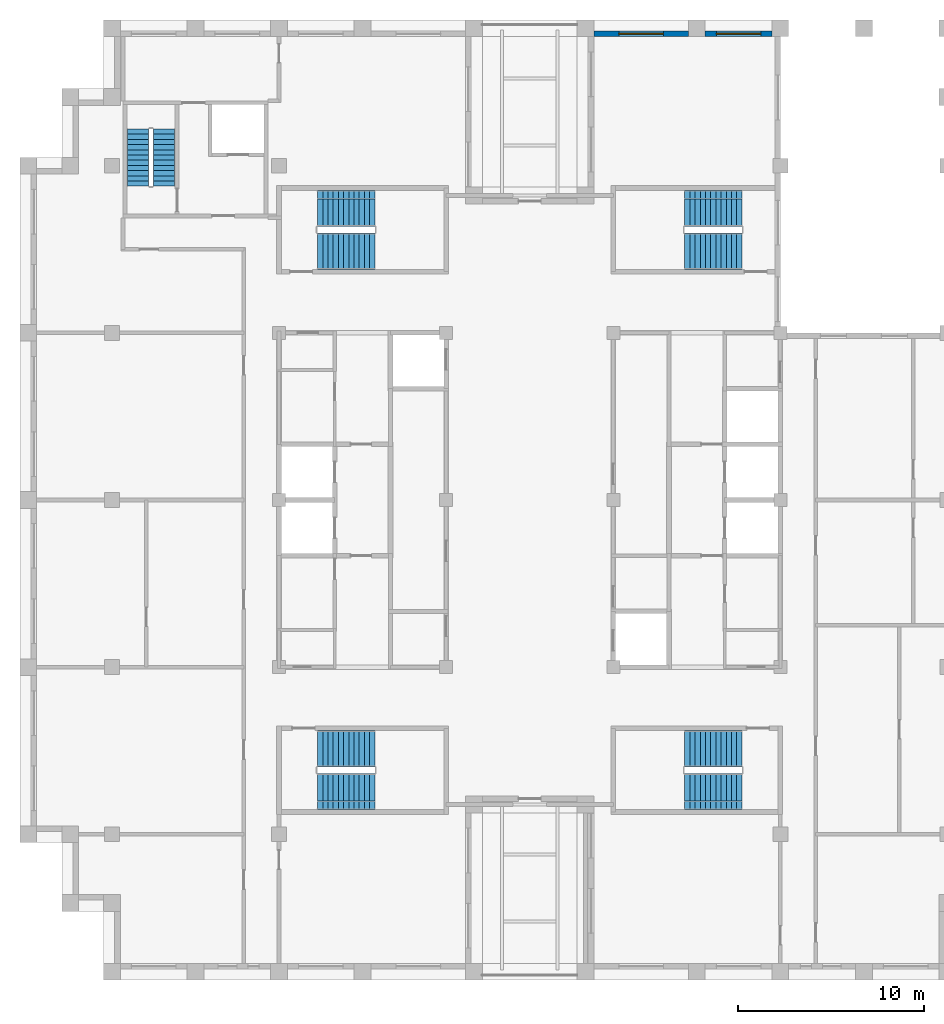
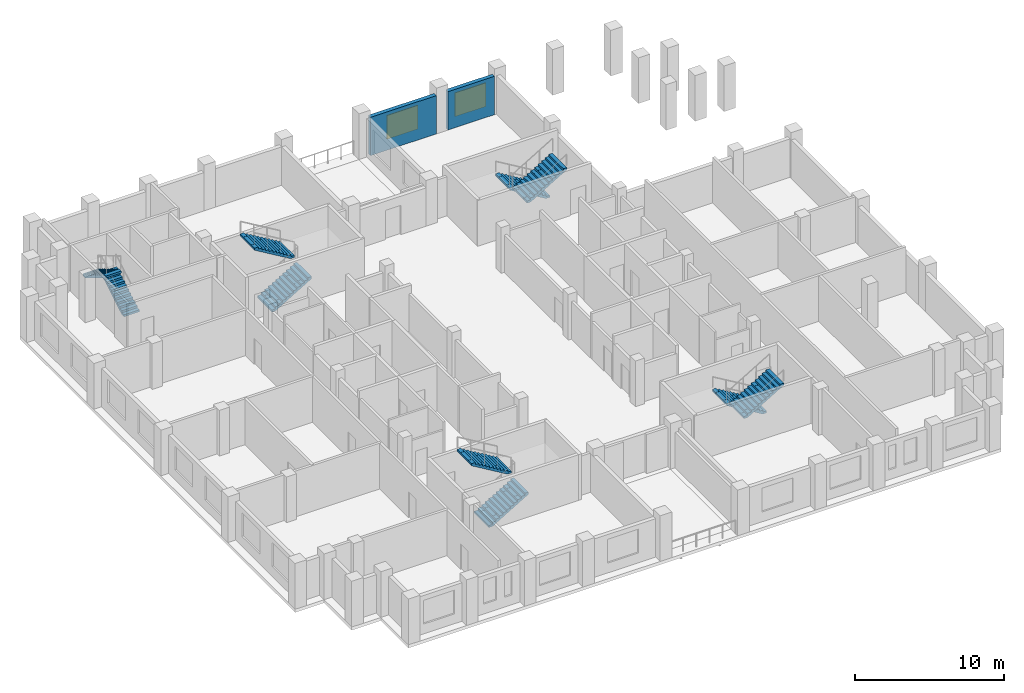
# One storey, part 7 of 8: 10 stair flights, 2 walls, 2 windows, 2 openings, 5 elements without a shape of their own.
"""IFC4 building model written with IfcOpenShell, lengths in metres."""

from ifc_helpers import new_model, si_unit, direction, frame, frame_2d, origin, place, context, subcontext, project, spatial, polyline, rectangle, outline, extrude, material, layer, layer_set, type_object, element, fill, aggregate, save


model = new_model("IFC4")

# Units and contexts
model_context = context("Model", 3, precision=1e-05, world=origin(), true_north=direction((0.0, 1.0)))
body_context = subcontext(model_context, "Body", "Model", "MODEL_VIEW")
ifc_project = project(units=[si_unit("LENGTHUNIT", "METRE"), si_unit("AREAUNIT", "SQUARE_METRE"), si_unit("VOLUMEUNIT", "CUBIC_METRE"), si_unit("PLANEANGLEUNIT", "RADIAN"), si_unit("MASSUNIT", "GRAM", prefix="KILO")], contexts=[model_context])

# Site, building, storey
site_placement = place(None, origin())
site = spatial("IfcSite", under=ifc_project, at=site_placement, CompositionType="ELEMENT")
building_placement = place(site_placement, origin())
building = spatial("IfcBuilding", under=site, at=building_placement, Name="Corbelhall Arena Tower", CompositionType="ELEMENT")
storey_placement = place(building_placement, frame((0.0, 0.0, 326.0)))
storey = spatial("IfcBuildingStorey", under=building, at=storey_placement, Name="L71", CompositionType="ELEMENT", Elevation=326.0)

# Wall, opening, window
ifc_material_1 = material(Name="Precast concrete C40/50 with granite facing", Category="masonry")
ifc_layer = layer(ifc_material_1, 0.300048828125)
ifc_layer_set = layer_set([ifc_layer], Name="EV-IW1 Infill panel 300")
wall_type = type_object("IfcWallType", Name="EV-IW1 Infill panel 300", PredefinedType="SOLIDWALL", material=ifc_layer_set)
wall_1_placement = place(storey_placement, frame((13.050048828125, 25.10009765625, 0.0), z_axis=(0.0, 0.0, 1.0), x_axis=(-1.0, 0.0, 0.0)))
wall_1 = element("IfcWall", 1, at=wall_1_placement, inside=storey, type_object=wall_type, Name="Infill panel IW1", PredefinedType="SOLIDWALL", context=body_context, shape_type="SweptSolid", body=[
    extrude(rectangle(XDim=3.60009765625, YDim=0.300048828125, at=frame_2d((1.800048828125, 0.0))), origin(), (0.0, 0.0, 1.0), 3.139892578125),
])
opening_1_placement = place(wall_1_placement, frame((0.60009765625, 0.0, 0.800048828125)))
opening_1 = element("IfcOpeningElement", 2, at=opening_1_placement, cuts=wall_1, Name="Opening WN1", PredefinedType="OPENING", context=body_context, shape_type="SweptSolid", body=[
    extrude(rectangle(XDim=2.39990234375, YDim=1.949951171875, at=frame_2d((1.199951171875, 0.97509765625))), frame((0.0, 0.14990234375, 0.0), z_axis=(0.0, -1.0, 0.0), x_axis=(1.0, 0.0, 0.0)), (0.0, 0.0, 1.0), 0.300048828125),
])
ifc_material_2 = material(Name="Aluminium black anodised", Category="aluminium")
window_type = type_object("IfcWindowType", Name="EV-WN1 Office window", PartitioningType="SINGLE_PANEL", PredefinedType="WINDOW", material=ifc_material_2)
window_1_placement = place(opening_1_placement, origin())
window_1 = element("IfcWindow", 3, at=window_1_placement, inside=storey, type_object=window_type, Name="Window WN1", OverallHeight=1.949951171875, OverallWidth=2.39990234375, PartitioningType="SINGLE_PANEL", PredefinedType="WINDOW", context=body_context, shape_type="SweptSolid", body=[
    extrude(rectangle(XDim=2.39990234375, YDim=1.949951171875, at=frame_2d((1.199951171875, 0.97509765625))), frame((0.0, 0.030029296875, 0.0), z_axis=(0.0, -1.0, 0.0), x_axis=(1.0, 0.0, 0.0)), (0.0, 0.0, 1.0), 0.06005859375),
])
fill(opening_1, window_1)

wall_2_placement = place(storey_placement, frame((8.550048828125, 25.10009765625, 0.0), z_axis=(0.0, 0.0, 1.0), x_axis=(-1.0, 0.0, 0.0)))
wall_2 = element("IfcWall", 4, at=wall_2_placement, inside=storey, type_object=wall_type, Name="Infill panel IW1", PredefinedType="SOLIDWALL", context=body_context, shape_type="SweptSolid", body=[
    extrude(rectangle(XDim=5.10009765625, YDim=0.300048828125, at=frame_2d((2.550048828125, 0.0))), origin(), (0.0, 0.0, 1.0), 3.139892578125),
])
opening_2_placement = place(wall_2_placement, frame((1.35009765625, 0.0, 0.800048828125)))
opening_2 = element("IfcOpeningElement", 5, at=opening_2_placement, cuts=wall_2, Name="Opening WN1", PredefinedType="OPENING", context=body_context, shape_type="SweptSolid", body=[
    extrude(rectangle(XDim=2.39990234375, YDim=1.949951171875, at=frame_2d((1.199951171875, 0.97509765625))), frame((0.0, 0.14990234375, 0.0), z_axis=(0.0, -1.0, 0.0), x_axis=(1.0, 0.0, 0.0)), (0.0, 0.0, 1.0), 0.300048828125),
])
window_2_placement = place(opening_2_placement, origin())
window_2 = element("IfcWindow", 6, at=window_2_placement, inside=storey, type_object=window_type, Name="Window WN1", OverallHeight=1.949951171875, OverallWidth=2.39990234375, PartitioningType="SINGLE_PANEL", PredefinedType="WINDOW", context=body_context, shape_type="SweptSolid", body=[
    extrude(rectangle(XDim=2.39990234375, YDim=1.949951171875, at=frame_2d((1.199951171875, 0.97509765625))), frame((0.0, 0.030029296875, 0.0), z_axis=(0.0, -1.0, 0.0), x_axis=(1.0, 0.0, 0.0)), (0.0, 0.0, 1.0), 0.06005859375),
])
fill(opening_2, window_2)

# Stair, stair flights
ifc_material_3 = material(Name="Concrete C40/50", Category="concrete")
stair_type = type_object("IfcStairType", Name="IN-ST-TOWER", PredefinedType="HALF_TURN_STAIR", material=ifc_material_3)
stair_1_placement = place(storey_placement, origin())
stair_1 = element("IfcStair", 7, at=stair_1_placement, inside=storey, type_object=stair_type, Name="L71 Exit stair ST1", PredefinedType="HALF_TURN_STAIR")
stair_flight_type = type_object("IfcStairFlightType", Name="IN-SFL-RC", PredefinedType="STRAIGHT", material=ifc_material_3)
stair_flight_1_placement = place(storey_placement, frame((-11.425048828125, 13.39990234375, 0.0), z_axis=(0.0, 0.0, 1.0), x_axis=(1.0, 0.0, 0.0)))
stair_flight_1 = element("IfcStairFlight", 8, at=stair_flight_1_placement, type_object=stair_flight_type, Name="ST1 flight 1", NumberOfRisers=12, NumberOfTreads=11, PredefinedType="STRAIGHT", RiserHeight=0.166666667, TreadLength=0.28, context=body_context, shape_type="SweptSolid", body=[
    extrude(outline(polyline([(0.0, 0.0), (0.0, 0.166748046875), (0.280029296875, 0.166748046875), (0.280029296875, 0.333251953125), (0.56005859375, 0.333251953125), (0.56005859375, 0.5), (0.840087890625, 0.5), (0.840087890625, 0.666748046875), (1.1201171875, 0.666748046875), (1.1201171875, 0.833251953125), (1.39990234375, 0.833251953125), (1.39990234375, 1.0), (1.679931640625, 1.0), (1.679931640625, 1.166748046875), (1.9599609375, 1.166748046875), (1.9599609375, 1.333251953125), (2.239990234375, 1.333251953125), (2.239990234375, 1.5), (2.52001953125, 1.5), (2.52001953125, 1.666748046875), (2.800048828125, 1.666748046875), (2.800048828125, 1.833251953125), (3.080078125, 1.833251953125), (3.080078125, 2.0), (3.080078125, 1.658935546875), (0.29296875, 0.0), (0.0, 0.0)])), frame((0.0, 0.97509765625, 0.0), z_axis=(0.0, -1.0, 0.0), x_axis=(1.0, 0.0, 0.0)), (0.0, 0.0, 1.0), 0.449951171875),
    extrude(outline(polyline([(0.0, 0.0), (0.0, 0.166748046875), (0.280029296875, 0.166748046875), (0.280029296875, 0.333251953125), (0.56005859375, 0.333251953125), (0.56005859375, 0.5), (0.840087890625, 0.5), (0.840087890625, 0.666748046875), (1.1201171875, 0.666748046875), (1.1201171875, 0.833251953125), (1.39990234375, 0.833251953125), (1.39990234375, 1.0), (1.679931640625, 1.0), (1.679931640625, 1.166748046875), (1.9599609375, 1.166748046875), (1.9599609375, 1.333251953125), (2.239990234375, 1.333251953125), (2.239990234375, 1.5), (2.52001953125, 1.5), (2.52001953125, 1.666748046875), (2.800048828125, 1.666748046875), (2.800048828125, 1.833251953125), (3.080078125, 1.833251953125), (3.080078125, 2.0), (3.080078125, 1.658935546875), (0.29296875, 0.0), (0.0, 0.0)])), frame((0.0, 0.52099609375, 0.0), z_axis=(0.0, -1.0, 0.0), x_axis=(1.0, 0.0, 0.0)), (0.0, 0.0, 1.0), 1.0419921875),
    extrude(outline(polyline([(0.0, 0.0), (0.0, 0.166748046875), (0.280029296875, 0.166748046875), (0.280029296875, 0.333251953125), (0.56005859375, 0.333251953125), (0.56005859375, 0.5), (0.840087890625, 0.5), (0.840087890625, 0.666748046875), (1.1201171875, 0.666748046875), (1.1201171875, 0.833251953125), (1.39990234375, 0.833251953125), (1.39990234375, 1.0), (1.679931640625, 1.0), (1.679931640625, 1.166748046875), (1.9599609375, 1.166748046875), (1.9599609375, 1.333251953125), (2.239990234375, 1.333251953125), (2.239990234375, 1.5), (2.52001953125, 1.5), (2.52001953125, 1.666748046875), (2.800048828125, 1.666748046875), (2.800048828125, 1.833251953125), (3.080078125, 1.833251953125), (3.080078125, 2.0), (3.080078125, 1.658935546875), (0.29296875, 0.0), (0.0, 0.0)])), frame((0.0, -0.52490234375, 0.0), z_axis=(0.0, -1.0, 0.0), x_axis=(1.0, 0.0, 0.0)), (0.0, 0.0, 1.0), 0.449951171875),
])
stair_flight_2_placement = place(storey_placement, frame((-8.344970703125, 15.699951171875, 2.0), z_axis=(0.0, 0.0, 1.0), x_axis=(-1.0, 0.0, 0.0)))
stair_flight_2 = element("IfcStairFlight", 9, at=stair_flight_2_placement, type_object=stair_flight_type, Name="ST1 flight 2", NumberOfRisers=12, NumberOfTreads=11, PredefinedType="STRAIGHT", RiserHeight=0.166666667, TreadLength=0.28, context=body_context, shape_type="SweptSolid", body=[
    extrude(outline(polyline([(0.0, 0.0), (0.0, 0.166748046875), (0.280029296875, 0.166748046875), (0.280029296875, 0.333251953125), (0.56005859375, 0.333251953125), (0.56005859375, 0.5), (0.840087890625, 0.5), (0.840087890625, 0.666748046875), (1.1201171875, 0.666748046875), (1.1201171875, 0.833251953125), (1.39990234375, 0.833251953125), (1.39990234375, 1.0), (1.679931640625, 1.0), (1.679931640625, 1.166748046875), (1.9599609375, 1.166748046875), (1.9599609375, 1.333251953125), (2.239990234375, 1.333251953125), (2.239990234375, 1.5), (2.52001953125, 1.5), (2.52001953125, 1.666748046875), (2.800048828125, 1.666748046875), (2.800048828125, 1.833251953125), (3.080078125, 1.833251953125), (3.080078125, 2.0), (3.080078125, 1.658935546875), (0.29296875, 0.0), (0.0, 0.0)])), frame((0.0, 0.97509765625, 0.0), z_axis=(0.0, -1.0, 0.0), x_axis=(1.0, 0.0, 0.0)), (0.0, 0.0, 1.0), 0.449951171875),
    extrude(outline(polyline([(0.0, 0.0), (0.0, 0.166748046875), (0.280029296875, 0.166748046875), (0.280029296875, 0.333251953125), (0.56005859375, 0.333251953125), (0.56005859375, 0.5), (0.840087890625, 0.5), (0.840087890625, 0.666748046875), (1.1201171875, 0.666748046875), (1.1201171875, 0.833251953125), (1.39990234375, 0.833251953125), (1.39990234375, 1.0), (1.679931640625, 1.0), (1.679931640625, 1.166748046875), (1.9599609375, 1.166748046875), (1.9599609375, 1.333251953125), (2.239990234375, 1.333251953125), (2.239990234375, 1.5), (2.52001953125, 1.5), (2.52001953125, 1.666748046875), (2.800048828125, 1.666748046875), (2.800048828125, 1.833251953125), (3.080078125, 1.833251953125), (3.080078125, 2.0), (3.080078125, 1.658935546875), (0.29296875, 0.0), (0.0, 0.0)])), frame((0.0, 0.52099609375, 0.0), z_axis=(0.0, -1.0, 0.0), x_axis=(1.0, 0.0, 0.0)), (0.0, 0.0, 1.0), 1.0419921875),
    extrude(outline(polyline([(0.0, 0.0), (0.0, 0.166748046875), (0.280029296875, 0.166748046875), (0.280029296875, 0.333251953125), (0.56005859375, 0.333251953125), (0.56005859375, 0.5), (0.840087890625, 0.5), (0.840087890625, 0.666748046875), (1.1201171875, 0.666748046875), (1.1201171875, 0.833251953125), (1.39990234375, 0.833251953125), (1.39990234375, 1.0), (1.679931640625, 1.0), (1.679931640625, 1.166748046875), (1.9599609375, 1.166748046875), (1.9599609375, 1.333251953125), (2.239990234375, 1.333251953125), (2.239990234375, 1.5), (2.52001953125, 1.5), (2.52001953125, 1.666748046875), (2.800048828125, 1.666748046875), (2.800048828125, 1.833251953125), (3.080078125, 1.833251953125), (3.080078125, 2.0), (3.080078125, 1.658935546875), (0.29296875, 0.0), (0.0, 0.0)])), frame((0.0, -0.52490234375, 0.0), z_axis=(0.0, -1.0, 0.0), x_axis=(1.0, 0.0, 0.0)), (0.0, 0.0, 1.0), 0.449951171875),
])
aggregate(stair_1, [stair_flight_1, stair_flight_2])

stair_2_placement = place(storey_placement, origin())
stair_2 = element("IfcStair", 10, at=stair_2_placement, inside=storey, type_object=stair_type, Name="L71 Exit stair ST2", PredefinedType="HALF_TURN_STAIR")
stair_flight_3_placement = place(storey_placement, frame((-11.425048828125, -15.699951171875, 0.0), z_axis=(0.0, 0.0, 1.0), x_axis=(1.0, 0.0, 0.0)))
stair_flight_3 = element("IfcStairFlight", 11, at=stair_flight_3_placement, type_object=stair_flight_type, Name="ST2 flight 1", NumberOfRisers=12, NumberOfTreads=11, PredefinedType="STRAIGHT", RiserHeight=0.166666667, TreadLength=0.28, context=body_context, shape_type="SweptSolid", body=[
    extrude(outline(polyline([(0.0, 0.0), (0.0, 0.166748046875), (0.280029296875, 0.166748046875), (0.280029296875, 0.333251953125), (0.56005859375, 0.333251953125), (0.56005859375, 0.5), (0.840087890625, 0.5), (0.840087890625, 0.666748046875), (1.1201171875, 0.666748046875), (1.1201171875, 0.833251953125), (1.39990234375, 0.833251953125), (1.39990234375, 1.0), (1.679931640625, 1.0), (1.679931640625, 1.166748046875), (1.9599609375, 1.166748046875), (1.9599609375, 1.333251953125), (2.239990234375, 1.333251953125), (2.239990234375, 1.5), (2.52001953125, 1.5), (2.52001953125, 1.666748046875), (2.800048828125, 1.666748046875), (2.800048828125, 1.833251953125), (3.080078125, 1.833251953125), (3.080078125, 2.0), (3.080078125, 1.658935546875), (0.29296875, 0.0), (0.0, 0.0)])), frame((0.0, 0.97509765625, 0.0), z_axis=(0.0, -1.0, 0.0), x_axis=(1.0, 0.0, 0.0)), (0.0, 0.0, 1.0), 0.449951171875),
    extrude(outline(polyline([(0.0, 0.0), (0.0, 0.166748046875), (0.280029296875, 0.166748046875), (0.280029296875, 0.333251953125), (0.56005859375, 0.333251953125), (0.56005859375, 0.5), (0.840087890625, 0.5), (0.840087890625, 0.666748046875), (1.1201171875, 0.666748046875), (1.1201171875, 0.833251953125), (1.39990234375, 0.833251953125), (1.39990234375, 1.0), (1.679931640625, 1.0), (1.679931640625, 1.166748046875), (1.9599609375, 1.166748046875), (1.9599609375, 1.333251953125), (2.239990234375, 1.333251953125), (2.239990234375, 1.5), (2.52001953125, 1.5), (2.52001953125, 1.666748046875), (2.800048828125, 1.666748046875), (2.800048828125, 1.833251953125), (3.080078125, 1.833251953125), (3.080078125, 2.0), (3.080078125, 1.658935546875), (0.29296875, 0.0), (0.0, 0.0)])), frame((0.0, 0.52099609375, 0.0), z_axis=(0.0, -1.0, 0.0), x_axis=(1.0, 0.0, 0.0)), (0.0, 0.0, 1.0), 1.0419921875),
    extrude(outline(polyline([(0.0, 0.0), (0.0, 0.166748046875), (0.280029296875, 0.166748046875), (0.280029296875, 0.333251953125), (0.56005859375, 0.333251953125), (0.56005859375, 0.5), (0.840087890625, 0.5), (0.840087890625, 0.666748046875), (1.1201171875, 0.666748046875), (1.1201171875, 0.833251953125), (1.39990234375, 0.833251953125), (1.39990234375, 1.0), (1.679931640625, 1.0), (1.679931640625, 1.166748046875), (1.9599609375, 1.166748046875), (1.9599609375, 1.333251953125), (2.239990234375, 1.333251953125), (2.239990234375, 1.5), (2.52001953125, 1.5), (2.52001953125, 1.666748046875), (2.800048828125, 1.666748046875), (2.800048828125, 1.833251953125), (3.080078125, 1.833251953125), (3.080078125, 2.0), (3.080078125, 1.658935546875), (0.29296875, 0.0), (0.0, 0.0)])), frame((0.0, -0.52490234375, 0.0), z_axis=(0.0, -1.0, 0.0), x_axis=(1.0, 0.0, 0.0)), (0.0, 0.0, 1.0), 0.449951171875),
])
stair_flight_4_placement = place(storey_placement, frame((-8.344970703125, -13.39990234375, 2.0), z_axis=(0.0, 0.0, 1.0), x_axis=(-1.0, 0.0, 0.0)))
stair_flight_4 = element("IfcStairFlight", 12, at=stair_flight_4_placement, type_object=stair_flight_type, Name="ST2 flight 2", NumberOfRisers=12, NumberOfTreads=11, PredefinedType="STRAIGHT", RiserHeight=0.166666667, TreadLength=0.28, context=body_context, shape_type="SweptSolid", body=[
    extrude(outline(polyline([(0.0, 0.0), (0.0, 0.166748046875), (0.280029296875, 0.166748046875), (0.280029296875, 0.333251953125), (0.56005859375, 0.333251953125), (0.56005859375, 0.5), (0.840087890625, 0.5), (0.840087890625, 0.666748046875), (1.1201171875, 0.666748046875), (1.1201171875, 0.833251953125), (1.39990234375, 0.833251953125), (1.39990234375, 1.0), (1.679931640625, 1.0), (1.679931640625, 1.166748046875), (1.9599609375, 1.166748046875), (1.9599609375, 1.333251953125), (2.239990234375, 1.333251953125), (2.239990234375, 1.5), (2.52001953125, 1.5), (2.52001953125, 1.666748046875), (2.800048828125, 1.666748046875), (2.800048828125, 1.833251953125), (3.080078125, 1.833251953125), (3.080078125, 2.0), (3.080078125, 1.658935546875), (0.29296875, 0.0), (0.0, 0.0)])), frame((0.0, 0.97509765625, 0.0), z_axis=(0.0, -1.0, 0.0), x_axis=(1.0, 0.0, 0.0)), (0.0, 0.0, 1.0), 0.449951171875),
    extrude(outline(polyline([(0.0, 0.0), (0.0, 0.166748046875), (0.280029296875, 0.166748046875), (0.280029296875, 0.333251953125), (0.56005859375, 0.333251953125), (0.56005859375, 0.5), (0.840087890625, 0.5), (0.840087890625, 0.666748046875), (1.1201171875, 0.666748046875), (1.1201171875, 0.833251953125), (1.39990234375, 0.833251953125), (1.39990234375, 1.0), (1.679931640625, 1.0), (1.679931640625, 1.166748046875), (1.9599609375, 1.166748046875), (1.9599609375, 1.333251953125), (2.239990234375, 1.333251953125), (2.239990234375, 1.5), (2.52001953125, 1.5), (2.52001953125, 1.666748046875), (2.800048828125, 1.666748046875), (2.800048828125, 1.833251953125), (3.080078125, 1.833251953125), (3.080078125, 2.0), (3.080078125, 1.658935546875), (0.29296875, 0.0), (0.0, 0.0)])), frame((0.0, 0.52099609375, 0.0), z_axis=(0.0, -1.0, 0.0), x_axis=(1.0, 0.0, 0.0)), (0.0, 0.0, 1.0), 1.0419921875),
    extrude(outline(polyline([(0.0, 0.0), (0.0, 0.166748046875), (0.280029296875, 0.166748046875), (0.280029296875, 0.333251953125), (0.56005859375, 0.333251953125), (0.56005859375, 0.5), (0.840087890625, 0.5), (0.840087890625, 0.666748046875), (1.1201171875, 0.666748046875), (1.1201171875, 0.833251953125), (1.39990234375, 0.833251953125), (1.39990234375, 1.0), (1.679931640625, 1.0), (1.679931640625, 1.166748046875), (1.9599609375, 1.166748046875), (1.9599609375, 1.333251953125), (2.239990234375, 1.333251953125), (2.239990234375, 1.5), (2.52001953125, 1.5), (2.52001953125, 1.666748046875), (2.800048828125, 1.666748046875), (2.800048828125, 1.833251953125), (3.080078125, 1.833251953125), (3.080078125, 2.0), (3.080078125, 1.658935546875), (0.29296875, 0.0), (0.0, 0.0)])), frame((0.0, -0.52490234375, 0.0), z_axis=(0.0, -1.0, 0.0), x_axis=(1.0, 0.0, 0.0)), (0.0, 0.0, 1.0), 0.449951171875),
])
aggregate(stair_2, [stair_flight_3, stair_flight_4])

stair_3_placement = place(storey_placement, origin())
stair_3 = element("IfcStair", 13, at=stair_3_placement, inside=storey, type_object=stair_type, Name="L71 Exit stair ST3", PredefinedType="HALF_TURN_STAIR")
stair_flight_5_placement = place(storey_placement, frame((11.425048828125, 15.699951171875, 0.0), z_axis=(0.0, 0.0, 1.0), x_axis=(-1.0, 0.0, 0.0)))
stair_flight_5 = element("IfcStairFlight", 14, at=stair_flight_5_placement, type_object=stair_flight_type, Name="ST3 flight 1", NumberOfRisers=12, NumberOfTreads=11, PredefinedType="STRAIGHT", RiserHeight=0.166666667, TreadLength=0.28, context=body_context, shape_type="SweptSolid", body=[
    extrude(outline(polyline([(0.0, 0.0), (0.0, 0.166748046875), (0.280029296875, 0.166748046875), (0.280029296875, 0.333251953125), (0.56005859375, 0.333251953125), (0.56005859375, 0.5), (0.840087890625, 0.5), (0.840087890625, 0.666748046875), (1.1201171875, 0.666748046875), (1.1201171875, 0.833251953125), (1.39990234375, 0.833251953125), (1.39990234375, 1.0), (1.679931640625, 1.0), (1.679931640625, 1.166748046875), (1.9599609375, 1.166748046875), (1.9599609375, 1.333251953125), (2.239990234375, 1.333251953125), (2.239990234375, 1.5), (2.52001953125, 1.5), (2.52001953125, 1.666748046875), (2.800048828125, 1.666748046875), (2.800048828125, 1.833251953125), (3.080078125, 1.833251953125), (3.080078125, 2.0), (3.080078125, 1.658935546875), (0.29296875, 0.0), (0.0, 0.0)])), frame((0.0, 0.97509765625, 0.0), z_axis=(0.0, -1.0, 0.0), x_axis=(1.0, 0.0, 0.0)), (0.0, 0.0, 1.0), 0.449951171875),
    extrude(outline(polyline([(0.0, 0.0), (0.0, 0.166748046875), (0.280029296875, 0.166748046875), (0.280029296875, 0.333251953125), (0.56005859375, 0.333251953125), (0.56005859375, 0.5), (0.840087890625, 0.5), (0.840087890625, 0.666748046875), (1.1201171875, 0.666748046875), (1.1201171875, 0.833251953125), (1.39990234375, 0.833251953125), (1.39990234375, 1.0), (1.679931640625, 1.0), (1.679931640625, 1.166748046875), (1.9599609375, 1.166748046875), (1.9599609375, 1.333251953125), (2.239990234375, 1.333251953125), (2.239990234375, 1.5), (2.52001953125, 1.5), (2.52001953125, 1.666748046875), (2.800048828125, 1.666748046875), (2.800048828125, 1.833251953125), (3.080078125, 1.833251953125), (3.080078125, 2.0), (3.080078125, 1.658935546875), (0.29296875, 0.0), (0.0, 0.0)])), frame((0.0, 0.52099609375, 0.0), z_axis=(0.0, -1.0, 0.0), x_axis=(1.0, 0.0, 0.0)), (0.0, 0.0, 1.0), 1.0419921875),
    extrude(outline(polyline([(0.0, 0.0), (0.0, 0.166748046875), (0.280029296875, 0.166748046875), (0.280029296875, 0.333251953125), (0.56005859375, 0.333251953125), (0.56005859375, 0.5), (0.840087890625, 0.5), (0.840087890625, 0.666748046875), (1.1201171875, 0.666748046875), (1.1201171875, 0.833251953125), (1.39990234375, 0.833251953125), (1.39990234375, 1.0), (1.679931640625, 1.0), (1.679931640625, 1.166748046875), (1.9599609375, 1.166748046875), (1.9599609375, 1.333251953125), (2.239990234375, 1.333251953125), (2.239990234375, 1.5), (2.52001953125, 1.5), (2.52001953125, 1.666748046875), (2.800048828125, 1.666748046875), (2.800048828125, 1.833251953125), (3.080078125, 1.833251953125), (3.080078125, 2.0), (3.080078125, 1.658935546875), (0.29296875, 0.0), (0.0, 0.0)])), frame((0.0, -0.52490234375, 0.0), z_axis=(0.0, -1.0, 0.0), x_axis=(1.0, 0.0, 0.0)), (0.0, 0.0, 1.0), 0.449951171875),
])
stair_flight_6_placement = place(storey_placement, frame((8.344970703125, 13.39990234375, 2.0), z_axis=(0.0, 0.0, 1.0), x_axis=(1.0, 0.0, 0.0)))
stair_flight_6 = element("IfcStairFlight", 15, at=stair_flight_6_placement, type_object=stair_flight_type, Name="ST3 flight 2", NumberOfRisers=12, NumberOfTreads=11, PredefinedType="STRAIGHT", RiserHeight=0.166666667, TreadLength=0.28, context=body_context, shape_type="SweptSolid", body=[
    extrude(outline(polyline([(0.0, 0.0), (0.0, 0.166748046875), (0.280029296875, 0.166748046875), (0.280029296875, 0.333251953125), (0.56005859375, 0.333251953125), (0.56005859375, 0.5), (0.840087890625, 0.5), (0.840087890625, 0.666748046875), (1.1201171875, 0.666748046875), (1.1201171875, 0.833251953125), (1.39990234375, 0.833251953125), (1.39990234375, 1.0), (1.679931640625, 1.0), (1.679931640625, 1.166748046875), (1.9599609375, 1.166748046875), (1.9599609375, 1.333251953125), (2.239990234375, 1.333251953125), (2.239990234375, 1.5), (2.52001953125, 1.5), (2.52001953125, 1.666748046875), (2.800048828125, 1.666748046875), (2.800048828125, 1.833251953125), (3.080078125, 1.833251953125), (3.080078125, 2.0), (3.080078125, 1.658935546875), (0.29296875, 0.0), (0.0, 0.0)])), frame((0.0, 0.97509765625, 0.0), z_axis=(0.0, -1.0, 0.0), x_axis=(1.0, 0.0, 0.0)), (0.0, 0.0, 1.0), 0.449951171875),
    extrude(outline(polyline([(0.0, 0.0), (0.0, 0.166748046875), (0.280029296875, 0.166748046875), (0.280029296875, 0.333251953125), (0.56005859375, 0.333251953125), (0.56005859375, 0.5), (0.840087890625, 0.5), (0.840087890625, 0.666748046875), (1.1201171875, 0.666748046875), (1.1201171875, 0.833251953125), (1.39990234375, 0.833251953125), (1.39990234375, 1.0), (1.679931640625, 1.0), (1.679931640625, 1.166748046875), (1.9599609375, 1.166748046875), (1.9599609375, 1.333251953125), (2.239990234375, 1.333251953125), (2.239990234375, 1.5), (2.52001953125, 1.5), (2.52001953125, 1.666748046875), (2.800048828125, 1.666748046875), (2.800048828125, 1.833251953125), (3.080078125, 1.833251953125), (3.080078125, 2.0), (3.080078125, 1.658935546875), (0.29296875, 0.0), (0.0, 0.0)])), frame((0.0, 0.52099609375, 0.0), z_axis=(0.0, -1.0, 0.0), x_axis=(1.0, 0.0, 0.0)), (0.0, 0.0, 1.0), 1.0419921875),
    extrude(outline(polyline([(0.0, 0.0), (0.0, 0.166748046875), (0.280029296875, 0.166748046875), (0.280029296875, 0.333251953125), (0.56005859375, 0.333251953125), (0.56005859375, 0.5), (0.840087890625, 0.5), (0.840087890625, 0.666748046875), (1.1201171875, 0.666748046875), (1.1201171875, 0.833251953125), (1.39990234375, 0.833251953125), (1.39990234375, 1.0), (1.679931640625, 1.0), (1.679931640625, 1.166748046875), (1.9599609375, 1.166748046875), (1.9599609375, 1.333251953125), (2.239990234375, 1.333251953125), (2.239990234375, 1.5), (2.52001953125, 1.5), (2.52001953125, 1.666748046875), (2.800048828125, 1.666748046875), (2.800048828125, 1.833251953125), (3.080078125, 1.833251953125), (3.080078125, 2.0), (3.080078125, 1.658935546875), (0.29296875, 0.0), (0.0, 0.0)])), frame((0.0, -0.52490234375, 0.0), z_axis=(0.0, -1.0, 0.0), x_axis=(1.0, 0.0, 0.0)), (0.0, 0.0, 1.0), 0.449951171875),
])
aggregate(stair_3, [stair_flight_5, stair_flight_6])

stair_4_placement = place(storey_placement, origin())
stair_4 = element("IfcStair", 16, at=stair_4_placement, inside=storey, type_object=stair_type, Name="L71 Exit stair ST4", PredefinedType="HALF_TURN_STAIR")
stair_flight_7_placement = place(storey_placement, frame((11.425048828125, -13.39990234375, 0.0), z_axis=(0.0, 0.0, 1.0), x_axis=(-1.0, 0.0, 0.0)))
stair_flight_7 = element("IfcStairFlight", 17, at=stair_flight_7_placement, type_object=stair_flight_type, Name="ST4 flight 1", NumberOfRisers=12, NumberOfTreads=11, PredefinedType="STRAIGHT", RiserHeight=0.166666667, TreadLength=0.28, context=body_context, shape_type="SweptSolid", body=[
    extrude(outline(polyline([(0.0, 0.0), (0.0, 0.166748046875), (0.280029296875, 0.166748046875), (0.280029296875, 0.333251953125), (0.56005859375, 0.333251953125), (0.56005859375, 0.5), (0.840087890625, 0.5), (0.840087890625, 0.666748046875), (1.1201171875, 0.666748046875), (1.1201171875, 0.833251953125), (1.39990234375, 0.833251953125), (1.39990234375, 1.0), (1.679931640625, 1.0), (1.679931640625, 1.166748046875), (1.9599609375, 1.166748046875), (1.9599609375, 1.333251953125), (2.239990234375, 1.333251953125), (2.239990234375, 1.5), (2.52001953125, 1.5), (2.52001953125, 1.666748046875), (2.800048828125, 1.666748046875), (2.800048828125, 1.833251953125), (3.080078125, 1.833251953125), (3.080078125, 2.0), (3.080078125, 1.658935546875), (0.29296875, 0.0), (0.0, 0.0)])), frame((0.0, 0.97509765625, 0.0), z_axis=(0.0, -1.0, 0.0), x_axis=(1.0, 0.0, 0.0)), (0.0, 0.0, 1.0), 0.449951171875),
    extrude(outline(polyline([(0.0, 0.0), (0.0, 0.166748046875), (0.280029296875, 0.166748046875), (0.280029296875, 0.333251953125), (0.56005859375, 0.333251953125), (0.56005859375, 0.5), (0.840087890625, 0.5), (0.840087890625, 0.666748046875), (1.1201171875, 0.666748046875), (1.1201171875, 0.833251953125), (1.39990234375, 0.833251953125), (1.39990234375, 1.0), (1.679931640625, 1.0), (1.679931640625, 1.166748046875), (1.9599609375, 1.166748046875), (1.9599609375, 1.333251953125), (2.239990234375, 1.333251953125), (2.239990234375, 1.5), (2.52001953125, 1.5), (2.52001953125, 1.666748046875), (2.800048828125, 1.666748046875), (2.800048828125, 1.833251953125), (3.080078125, 1.833251953125), (3.080078125, 2.0), (3.080078125, 1.658935546875), (0.29296875, 0.0), (0.0, 0.0)])), frame((0.0, 0.52099609375, 0.0), z_axis=(0.0, -1.0, 0.0), x_axis=(1.0, 0.0, 0.0)), (0.0, 0.0, 1.0), 1.0419921875),
    extrude(outline(polyline([(0.0, 0.0), (0.0, 0.166748046875), (0.280029296875, 0.166748046875), (0.280029296875, 0.333251953125), (0.56005859375, 0.333251953125), (0.56005859375, 0.5), (0.840087890625, 0.5), (0.840087890625, 0.666748046875), (1.1201171875, 0.666748046875), (1.1201171875, 0.833251953125), (1.39990234375, 0.833251953125), (1.39990234375, 1.0), (1.679931640625, 1.0), (1.679931640625, 1.166748046875), (1.9599609375, 1.166748046875), (1.9599609375, 1.333251953125), (2.239990234375, 1.333251953125), (2.239990234375, 1.5), (2.52001953125, 1.5), (2.52001953125, 1.666748046875), (2.800048828125, 1.666748046875), (2.800048828125, 1.833251953125), (3.080078125, 1.833251953125), (3.080078125, 2.0), (3.080078125, 1.658935546875), (0.29296875, 0.0), (0.0, 0.0)])), frame((0.0, -0.52490234375, 0.0), z_axis=(0.0, -1.0, 0.0), x_axis=(1.0, 0.0, 0.0)), (0.0, 0.0, 1.0), 0.449951171875),
])
stair_flight_8_placement = place(storey_placement, frame((8.344970703125, -15.699951171875, 2.0), z_axis=(0.0, 0.0, 1.0), x_axis=(1.0, 0.0, 0.0)))
stair_flight_8 = element("IfcStairFlight", 18, at=stair_flight_8_placement, type_object=stair_flight_type, Name="ST4 flight 2", NumberOfRisers=12, NumberOfTreads=11, PredefinedType="STRAIGHT", RiserHeight=0.166666667, TreadLength=0.28, context=body_context, shape_type="SweptSolid", body=[
    extrude(outline(polyline([(0.0, 0.0), (0.0, 0.166748046875), (0.280029296875, 0.166748046875), (0.280029296875, 0.333251953125), (0.56005859375, 0.333251953125), (0.56005859375, 0.5), (0.840087890625, 0.5), (0.840087890625, 0.666748046875), (1.1201171875, 0.666748046875), (1.1201171875, 0.833251953125), (1.39990234375, 0.833251953125), (1.39990234375, 1.0), (1.679931640625, 1.0), (1.679931640625, 1.166748046875), (1.9599609375, 1.166748046875), (1.9599609375, 1.333251953125), (2.239990234375, 1.333251953125), (2.239990234375, 1.5), (2.52001953125, 1.5), (2.52001953125, 1.666748046875), (2.800048828125, 1.666748046875), (2.800048828125, 1.833251953125), (3.080078125, 1.833251953125), (3.080078125, 2.0), (3.080078125, 1.658935546875), (0.29296875, 0.0), (0.0, 0.0)])), frame((0.0, 0.97509765625, 0.0), z_axis=(0.0, -1.0, 0.0), x_axis=(1.0, 0.0, 0.0)), (0.0, 0.0, 1.0), 0.449951171875),
    extrude(outline(polyline([(0.0, 0.0), (0.0, 0.166748046875), (0.280029296875, 0.166748046875), (0.280029296875, 0.333251953125), (0.56005859375, 0.333251953125), (0.56005859375, 0.5), (0.840087890625, 0.5), (0.840087890625, 0.666748046875), (1.1201171875, 0.666748046875), (1.1201171875, 0.833251953125), (1.39990234375, 0.833251953125), (1.39990234375, 1.0), (1.679931640625, 1.0), (1.679931640625, 1.166748046875), (1.9599609375, 1.166748046875), (1.9599609375, 1.333251953125), (2.239990234375, 1.333251953125), (2.239990234375, 1.5), (2.52001953125, 1.5), (2.52001953125, 1.666748046875), (2.800048828125, 1.666748046875), (2.800048828125, 1.833251953125), (3.080078125, 1.833251953125), (3.080078125, 2.0), (3.080078125, 1.658935546875), (0.29296875, 0.0), (0.0, 0.0)])), frame((0.0, 0.52099609375, 0.0), z_axis=(0.0, -1.0, 0.0), x_axis=(1.0, 0.0, 0.0)), (0.0, 0.0, 1.0), 1.0419921875),
    extrude(outline(polyline([(0.0, 0.0), (0.0, 0.166748046875), (0.280029296875, 0.166748046875), (0.280029296875, 0.333251953125), (0.56005859375, 0.333251953125), (0.56005859375, 0.5), (0.840087890625, 0.5), (0.840087890625, 0.666748046875), (1.1201171875, 0.666748046875), (1.1201171875, 0.833251953125), (1.39990234375, 0.833251953125), (1.39990234375, 1.0), (1.679931640625, 1.0), (1.679931640625, 1.166748046875), (1.9599609375, 1.166748046875), (1.9599609375, 1.333251953125), (2.239990234375, 1.333251953125), (2.239990234375, 1.5), (2.52001953125, 1.5), (2.52001953125, 1.666748046875), (2.800048828125, 1.666748046875), (2.800048828125, 1.833251953125), (3.080078125, 1.833251953125), (3.080078125, 2.0), (3.080078125, 1.658935546875), (0.29296875, 0.0), (0.0, 0.0)])), frame((0.0, -0.52490234375, 0.0), z_axis=(0.0, -1.0, 0.0), x_axis=(1.0, 0.0, 0.0)), (0.0, 0.0, 1.0), 0.449951171875),
])
aggregate(stair_4, [stair_flight_7, stair_flight_8])

stair_5_placement = place(storey_placement, origin())
stair_5 = element("IfcStair", 19, at=stair_5_placement, inside=storey, type_object=stair_type, Name="L71 Exit stair ST5", PredefinedType="HALF_TURN_STAIR")
stair_flight_9_placement = place(storey_placement, frame((-19.695068359375, 16.89990234375, 0.0), z_axis=(0.0, 0.0, 1.0), x_axis=(0.0, 1.0, 0.0)))
stair_flight_9 = element("IfcStairFlight", 20, at=stair_flight_9_placement, type_object=stair_flight_type, Name="ST5 flight 1", NumberOfRisers=12, NumberOfTreads=11, PredefinedType="STRAIGHT", RiserHeight=0.166666667, TreadLength=0.28, context=body_context, shape_type="SweptSolid", body=[
    extrude(outline(polyline([(0.0, 0.0), (0.0, 0.166748046875), (0.280029296875, 0.166748046875), (0.280029296875, 0.333251953125), (0.56005859375, 0.333251953125), (0.56005859375, 0.5), (0.840087890625, 0.5), (0.840087890625, 0.666748046875), (1.1201171875, 0.666748046875), (1.1201171875, 0.833251953125), (1.39990234375, 0.833251953125), (1.39990234375, 1.0), (1.679931640625, 1.0), (1.679931640625, 1.166748046875), (1.9599609375, 1.166748046875), (1.9599609375, 1.333251953125), (2.239990234375, 1.333251953125), (2.239990234375, 1.5), (2.52001953125, 1.5), (2.52001953125, 1.666748046875), (2.800048828125, 1.666748046875), (2.800048828125, 1.833251953125), (3.080078125, 1.833251953125), (3.080078125, 2.0), (3.080078125, 1.658935546875), (0.29296875, 0.0), (0.0, 0.0)])), frame((0.0, 0.60009765625, 0.0), z_axis=(0.0, -1.0, 0.0), x_axis=(1.0, 0.0, 0.0)), (0.0, 0.0, 1.0), 1.199951171875),
])
stair_flight_10_placement = place(storey_placement, frame((-21.094970703125, 19.97998046875, 2.0), z_axis=(0.0, 0.0, 1.0), x_axis=(0.0, -1.0, 0.0)))
stair_flight_10 = element("IfcStairFlight", 21, at=stair_flight_10_placement, type_object=stair_flight_type, Name="ST5 flight 2", NumberOfRisers=12, NumberOfTreads=11, PredefinedType="STRAIGHT", RiserHeight=0.166666667, TreadLength=0.28, context=body_context, shape_type="SweptSolid", body=[
    extrude(outline(polyline([(0.0, 0.0), (0.0, 0.166748046875), (0.280029296875, 0.166748046875), (0.280029296875, 0.333251953125), (0.56005859375, 0.333251953125), (0.56005859375, 0.5), (0.840087890625, 0.5), (0.840087890625, 0.666748046875), (1.1201171875, 0.666748046875), (1.1201171875, 0.833251953125), (1.39990234375, 0.833251953125), (1.39990234375, 1.0), (1.679931640625, 1.0), (1.679931640625, 1.166748046875), (1.9599609375, 1.166748046875), (1.9599609375, 1.333251953125), (2.239990234375, 1.333251953125), (2.239990234375, 1.5), (2.52001953125, 1.5), (2.52001953125, 1.666748046875), (2.800048828125, 1.666748046875), (2.800048828125, 1.833251953125), (3.080078125, 1.833251953125), (3.080078125, 2.0), (3.080078125, 1.658935546875), (0.29296875, 0.0), (0.0, 0.0)])), frame((0.0, 0.60009765625, 0.0), z_axis=(0.0, -1.0, 0.0), x_axis=(1.0, 0.0, 0.0)), (0.0, 0.0, 1.0), 1.199951171875),
])
aggregate(stair_5, [stair_flight_9, stair_flight_10])

save(model, "model.ifc")
